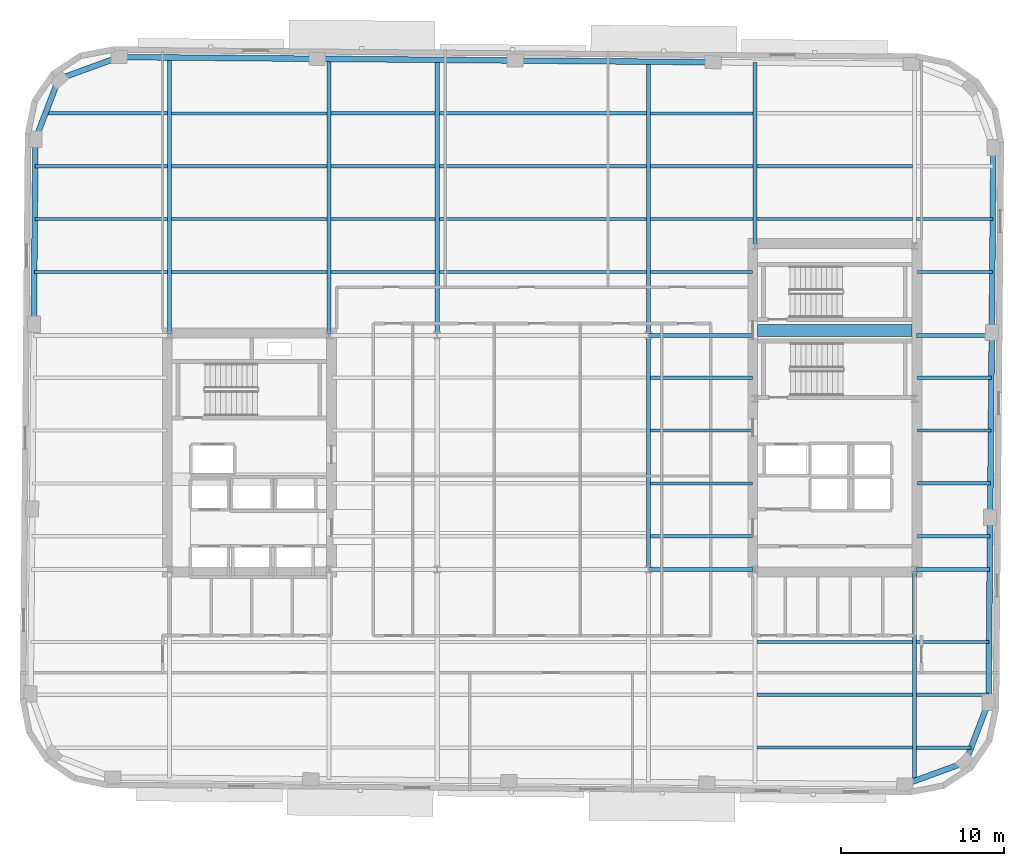
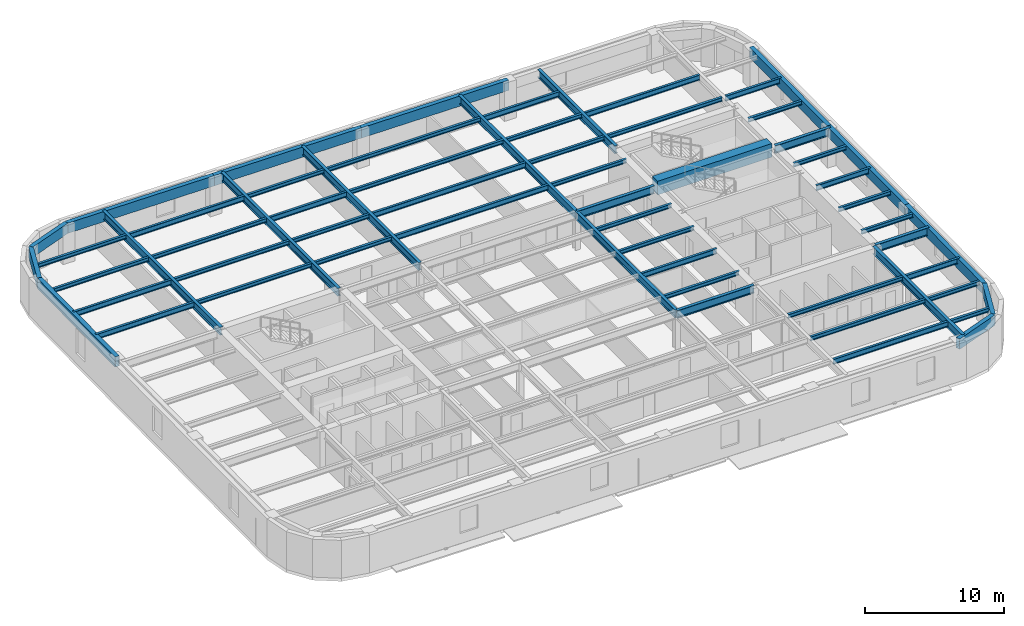
# One storey, part 2 of 11: 61 beams.
"""IFC4 building model written with IfcOpenShell, lengths in metres."""

from ifc_helpers import new_model, si_unit, direction, frame, origin, origin_2d, place, context, subcontext, project, spatial, rectangle, hollow_rectangle, i_section, extrude, material, material_profile, profile_set, type_object, element, save


model = new_model("IFC4")

# Units and contexts
model_context = context("Model", 3, precision=1e-05, world=origin(), true_north=direction((0.0, 1.0)))
body_context = subcontext(model_context, "Body", "Model", "MODEL_VIEW")
ifc_project = project(units=[si_unit("LENGTHUNIT", "METRE"), si_unit("AREAUNIT", "SQUARE_METRE"), si_unit("VOLUMEUNIT", "CUBIC_METRE"), si_unit("PLANEANGLEUNIT", "RADIAN"), si_unit("MASSUNIT", "GRAM", prefix="KILO")], contexts=[model_context])

# Site, building, storey
site_placement = place(None, origin())
site = spatial("IfcSite", under=ifc_project, at=site_placement, CompositionType="ELEMENT")
building_placement = place(site_placement, origin())
building = spatial("IfcBuilding", under=site, at=building_placement, Name="Kolvaren Arena Tower", CompositionType="ELEMENT")
storey_placement = place(building_placement, frame((0.0, 0.0, 207.199951171875)))
storey = spatial("IfcBuildingStorey", under=building, at=storey_placement, Name="L50", CompositionType="ELEMENT", Elevation=207.199951171875)

# Beams
ifc_material_1 = material(Name="Steel CSA G40.21 350W", Category="steel")
ifc_material_profile_1 = material_profile(ifc_material_1, i_section(OverallWidth=0.193115234375, OverallDepth=0.462890625, WebThickness=0.0107421875, FlangeThickness=0.0205078125, FilletRadius=0.012939453125, at=origin_2d()), Name="W460x113")
ifc_profile_set_1 = profile_set([ifc_material_profile_1], Name="Steel CSA G40.21 350W")
beam_type_1 = type_object("IfcBeamType", Name="BEAM-F2", PredefinedType="BEAM", material=ifc_profile_set_1)
beam_1_placement = place(storey_placement, frame((50.677490234375, 8.5, 3.0986328125), z_axis=(1.0, 0.0, 0.0), x_axis=(0.0, 1.0, 0.0)))
element("IfcBeam", 1, at=beam_1_placement, inside=storey, type_object=beam_type_1, Name="Composite Floor Beam (L50)", PredefinedType="BEAM", context=body_context, shape_type="SweptSolid", body=[
    extrude(i_section(OverallWidth=0.193115234375, OverallDepth=0.462890625, WebThickness=0.0107421875, FlangeThickness=0.0205078125, FilletRadius=0.012939453125, at=origin_2d()), origin(), (0.0, 0.0, 1.0), 9.544921875),
])
beam_2_placement = place(storey_placement, frame((60.4775390625, 15.0, 3.0986328125), z_axis=(1.0, 0.0, 0.0), x_axis=(0.0, 1.0, 0.0)))
element("IfcBeam", 2, at=beam_2_placement, inside=storey, type_object=beam_type_1, Name="Composite Floor Beam (L50)", PredefinedType="BEAM", context=body_context, shape_type="SweptSolid", body=[
    extrude(i_section(OverallWidth=0.193115234375, OverallDepth=0.462890625, WebThickness=0.0107421875, FlangeThickness=0.0205078125, FilletRadius=0.012939453125, at=origin_2d()), origin(), (0.0, 0.0, 1.0), 4.454833984375),
])
beam_3_placement = place(storey_placement, frame((44.12744140625, 24.75, 3.0986328125), z_axis=(1.0, 0.0, 0.0), x_axis=(0.0, 1.0, 0.0)))
element("IfcBeam", 3, at=beam_3_placement, inside=storey, type_object=beam_type_1, Name="Composite Floor Beam (L50)", PredefinedType="BEAM", context=body_context, shape_type="SweptSolid", body=[
    extrude(i_section(OverallWidth=0.193115234375, OverallDepth=0.462890625, WebThickness=0.0107421875, FlangeThickness=0.0205078125, FilletRadius=0.012939453125, at=origin_2d()), origin(), (0.0, 0.0, 1.0), 6.25244140625),
])
beam_4_placement = place(storey_placement, frame((60.52001953125, 28.0, 3.0986328125), z_axis=(1.0, 0.0, 0.0), x_axis=(0.0, 1.0, 0.0)))
element("IfcBeam", 4, at=beam_4_placement, inside=storey, type_object=beam_type_1, Name="Composite Floor Beam (L50)", PredefinedType="BEAM", context=body_context, shape_type="SweptSolid", body=[
    extrude(i_section(OverallWidth=0.193115234375, OverallDepth=0.462890625, WebThickness=0.0107421875, FlangeThickness=0.0205078125, FilletRadius=0.012939453125, at=origin_2d()), origin(), (0.0, 0.0, 1.0), 4.52587890625),
])
beam_5_placement = place(storey_placement, frame((6.228759765625, 37.75, 3.0986328125), z_axis=(1.0, 0.0, 0.0), x_axis=(0.0, 1.0, 0.0)))
element("IfcBeam", 5, at=beam_5_placement, inside=storey, type_object=beam_type_1, Name="Composite Floor Beam (L50)", PredefinedType="BEAM", context=body_context, shape_type="SweptSolid", body=[
    extrude(i_section(OverallWidth=0.193115234375, OverallDepth=0.462890625, WebThickness=0.0107421875, FlangeThickness=0.0205078125, FilletRadius=0.012939453125, at=origin_2d()), origin(), (0.0, 0.0, 1.0), 8.19384765625),
])
beam_6_placement = place(storey_placement, frame((31.12744140625, 37.75, 3.0986328125), z_axis=(1.0, 0.0, 0.0), x_axis=(0.0, 1.0, 0.0)))
element("IfcBeam", 6, at=beam_6_placement, inside=storey, type_object=beam_type_1, Name="Composite Floor Beam (L50)", PredefinedType="BEAM", context=body_context, shape_type="SweptSolid", body=[
    extrude(i_section(OverallWidth=0.193115234375, OverallDepth=0.462890625, WebThickness=0.0107421875, FlangeThickness=0.0205078125, FilletRadius=0.012939453125, at=origin_2d()), origin(), (0.0, 0.0, 1.0), 12.7451171875),
])
beam_7_placement = place(storey_placement, frame((6.257080078125, 41.0, 3.0986328125), z_axis=(1.0, 0.0, 0.0), x_axis=(0.0, 1.0, 0.0)))
element("IfcBeam", 7, at=beam_7_placement, inside=storey, type_object=beam_type_1, Name="Composite Floor Beam (L50)", PredefinedType="BEAM", context=body_context, shape_type="SweptSolid", body=[
    extrude(i_section(OverallWidth=0.193115234375, OverallDepth=0.462890625, WebThickness=0.0107421875, FlangeThickness=0.0205078125, FilletRadius=0.012939453125, at=origin_2d()), origin(), (0.0, 0.0, 1.0), 8.16552734375),
])
beam_8_placement = place(storey_placement, frame((31.12744140625, 41.0, 3.0986328125), z_axis=(1.0, 0.0, 0.0), x_axis=(0.0, 1.0, 0.0)))
element("IfcBeam", 8, at=beam_8_placement, inside=storey, type_object=beam_type_1, Name="Composite Floor Beam (L50)", PredefinedType="BEAM", context=body_context, shape_type="SweptSolid", body=[
    extrude(i_section(OverallWidth=0.193115234375, OverallDepth=0.462890625, WebThickness=0.0107421875, FlangeThickness=0.0205078125, FilletRadius=0.012939453125, at=origin_2d()), origin(), (0.0, 0.0, 1.0), 12.7451171875),
])
beam_9_placement = place(storey_placement, frame((60.4775390625, 41.0, 3.0986328125), z_axis=(1.0, 0.0, 0.0), x_axis=(0.0, 1.0, 0.0)))
element("IfcBeam", 9, at=beam_9_placement, inside=storey, type_object=beam_type_1, Name="Composite Floor Beam (L50)", PredefinedType="BEAM", context=body_context, shape_type="SweptSolid", body=[
    extrude(i_section(OverallWidth=0.193115234375, OverallDepth=0.462890625, WebThickness=0.0107421875, FlangeThickness=0.0205078125, FilletRadius=0.012939453125, at=origin_2d()), origin(), (0.0, 0.0, 1.0), 4.681884765625),
])
beam_10_placement = place(storey_placement, frame((24.4775390625, 44.25, 3.0986328125), z_axis=(1.0, 0.0, 0.0), x_axis=(0.0, 1.0, 0.0)))
element("IfcBeam", 10, at=beam_10_placement, inside=storey, type_object=beam_type_1, Name="Composite Floor Beam (L50)", PredefinedType="BEAM", context=body_context, shape_type="SweptSolid", body=[
    extrude(i_section(OverallWidth=0.193115234375, OverallDepth=0.462890625, WebThickness=0.0107421875, FlangeThickness=0.0205078125, FilletRadius=0.012939453125, at=origin_2d()), origin(), (0.0, 0.0, 1.0), 6.39501953125),
])
for number, where, z_axis, x_axis, name in (
    (11, (50.677490234375, 44.25, 3.0986328125), (1.0, 0.0, 0.0), (0.0, 1.0, 0.0), "Composite Floor Beam (L50)"),
    (12, (14.677490234375, 47.5, 3.0986328125), (1.0, 0.0, 0.0), (0.0, 1.0, 0.0), "Composite Floor Beam (L50)"),
):
    element("IfcBeam", number, at=place(storey_placement, frame(where, z_axis=z_axis, x_axis=x_axis)), inside=storey, type_object=beam_type_1, Name=name, PredefinedType="BEAM", context=body_context, shape_type="SweptSolid", body=[
        extrude(i_section(OverallWidth=0.193115234375, OverallDepth=0.462890625, WebThickness=0.0107421875, FlangeThickness=0.0205078125, FilletRadius=0.012939453125, at=origin_2d()), origin(), (0.0, 0.0, 1.0), 9.544921875),
    ])
beam_11_placement = place(storey_placement, frame((44.12744140625, 47.5, 3.0986328125), z_axis=(1.0, 0.0, 0.0), x_axis=(0.0, 1.0, 0.0)))
element("IfcBeam", 13, at=beam_11_placement, inside=storey, type_object=beam_type_1, Name="Composite Floor Beam (L50)", PredefinedType="BEAM", context=body_context, shape_type="SweptSolid", body=[
    extrude(i_section(OverallWidth=0.193115234375, OverallDepth=0.462890625, WebThickness=0.0107421875, FlangeThickness=0.0205078125, FilletRadius=0.012939453125, at=origin_2d()), origin(), (0.0, 0.0, 1.0), 6.295166015625),
])
ifc_material_2 = material(Name="Concrete 60 MPa", Category="concrete")
ifc_material_profile_2 = material_profile(ifc_material_2, rectangle(XDim=0.75, YDim=1.199951171875, at=origin_2d()), Name="RC-750x1200")
ifc_profile_set_2 = profile_set([ifc_material_profile_2], Name="Concrete 60 MPa")
beam_type_2 = type_object("IfcBeamType", Name="CB-CORE-2", PredefinedType="BEAM", material=ifc_profile_set_2)
beam_12_placement = place(storey_placement, frame((50.699951171875, 34.14990234375, 3.0), z_axis=(1.0, 0.0, 0.0), x_axis=(0.0, 1.0, 0.0)))
element("IfcBeam", 14, at=beam_12_placement, inside=storey, type_object=beam_type_2, Name="East Core Coupling Beam (L50)", PredefinedType="BEAM", context=body_context, shape_type="SweptSolid", body=[
    extrude(rectangle(XDim=0.75, YDim=1.199951171875, at=origin_2d()), origin(), (0.0, 0.0, 1.0), 9.5),
])
ifc_material_profile_3 = material_profile(ifc_material_1, i_section(OverallWidth=0.2548828125, OverallDepth=0.695068359375, WebThickness=0.01708984375, FlangeThickness=0.02978515625, FilletRadius=0.01611328125, at=origin_2d()), Name="W690x217")
ifc_profile_set_3 = profile_set([ifc_material_profile_3], Name="Steel CSA G40.21 350W")
beam_type_3 = type_object("IfcBeamType", Name="GIRD-T2", PredefinedType="BEAM", material=ifc_profile_set_3)
beam_13_placement = place(storey_placement, frame((44.0, 19.449951171875, 2.982666015625), z_axis=(1.0, 0.0, 0.0), x_axis=(0.0, 1.0, 0.0)))
element("IfcBeam", 15, at=beam_13_placement, inside=storey, type_object=beam_type_3, Name="Primary Floor Girder (L50)", PredefinedType="BEAM", context=body_context, shape_type="SweptSolid", body=[
    extrude(i_section(OverallWidth=0.2548828125, OverallDepth=0.695068359375, WebThickness=0.01708984375, FlangeThickness=0.02978515625, FilletRadius=0.01611328125, at=origin_2d()), origin(), (0.0, 0.0, 1.0), 6.419921875),
])
beam_14_placement = place(storey_placement, frame((60.47998046875, 19.449951171875, 2.982666015625), z_axis=(1.0, 0.0, 0.0), x_axis=(0.0, 1.0, 0.0)))
element("IfcBeam", 16, at=beam_14_placement, inside=storey, type_object=beam_type_3, Name="Primary Floor Girder (L50)", PredefinedType="BEAM", context=body_context, shape_type="SweptSolid", body=[
    extrude(i_section(OverallWidth=0.2548828125, OverallDepth=0.695068359375, WebThickness=0.01708984375, FlangeThickness=0.02978515625, FilletRadius=0.01611328125, at=origin_2d()), origin(), (0.0, 0.0, 1.0), 4.4912109375),
])
beam_15_placement = place(storey_placement, frame((44.0, 33.85009765625, 2.982666015625), z_axis=(1.0, 0.0, 0.0), x_axis=(0.0, 1.0, 0.0)))
element("IfcBeam", 17, at=beam_15_placement, inside=storey, type_object=beam_type_3, Name="Primary Floor Girder (L50)", PredefinedType="BEAM", context=body_context, shape_type="SweptSolid", body=[
    extrude(i_section(OverallWidth=0.2548828125, OverallDepth=0.695068359375, WebThickness=0.01708984375, FlangeThickness=0.02978515625, FilletRadius=0.01611328125, at=origin_2d()), origin(), (0.0, 0.0, 1.0), 6.419921875),
])
beam_16_placement = place(storey_placement, frame((60.47998046875, 33.85009765625, 2.982666015625), z_axis=(1.0, 0.0, 0.0), x_axis=(0.0, 1.0, 0.0)))
element("IfcBeam", 18, at=beam_16_placement, inside=storey, type_object=beam_type_3, Name="Primary Floor Girder (L50)", PredefinedType="BEAM", context=body_context, shape_type="SweptSolid", body=[
    extrude(i_section(OverallWidth=0.2548828125, OverallDepth=0.695068359375, WebThickness=0.01708984375, FlangeThickness=0.02978515625, FilletRadius=0.01611328125, at=origin_2d()), origin(), (0.0, 0.0, 1.0), 4.616943359375),
])
beam_17_placement = place(storey_placement, frame((14.550048828125, 33.97998046875, 2.982666015625), z_axis=(0.0, 1.0, 0.0), x_axis=(-1.0, 0.0, 0.0)))
element("IfcBeam", 19, at=beam_17_placement, inside=storey, type_object=beam_type_3, Name="Primary Floor Girder (L50)", PredefinedType="BEAM", context=body_context, shape_type="SweptSolid", body=[
    extrude(i_section(OverallWidth=0.2548828125, OverallDepth=0.695068359375, WebThickness=0.01708984375, FlangeThickness=0.02978515625, FilletRadius=0.01611328125, at=origin_2d()), origin(), (0.0, 0.0, 1.0), 16.95458984375),
])
beam_18_placement = place(storey_placement, frame((24.35009765625, 33.97998046875, 2.982666015625), z_axis=(0.0, 1.0, 0.0), x_axis=(-1.0, 0.0, 0.0)))
element("IfcBeam", 20, at=beam_18_placement, inside=storey, type_object=beam_type_3, Name="Primary Floor Girder (L50)", PredefinedType="BEAM", context=body_context, shape_type="SweptSolid", body=[
    extrude(i_section(OverallWidth=0.2548828125, OverallDepth=0.695068359375, WebThickness=0.01708984375, FlangeThickness=0.02978515625, FilletRadius=0.01611328125, at=origin_2d()), origin(), (0.0, 0.0, 1.0), 16.869140625),
])
beam_19_placement = place(storey_placement, frame((31.0, 33.85009765625, 2.982666015625), z_axis=(0.0, 1.0, 0.0), x_axis=(-1.0, 0.0, 0.0)))
element("IfcBeam", 21, at=beam_19_placement, inside=storey, type_object=beam_type_3, Name="Primary Floor Girder (L50)", PredefinedType="BEAM", context=body_context, shape_type="SweptSolid", body=[
    extrude(i_section(OverallWidth=0.2548828125, OverallDepth=0.695068359375, WebThickness=0.01708984375, FlangeThickness=0.02978515625, FilletRadius=0.01611328125, at=origin_2d()), origin(), (0.0, 0.0, 1.0), 16.94091796875),
])
beam_20_placement = place(storey_placement, frame((44.0, 19.449951171875, 2.982666015625), z_axis=(0.0, 1.0, 0.0), x_axis=(-1.0, 0.0, 0.0)))
element("IfcBeam", 22, at=beam_20_placement, inside=storey, type_object=beam_type_3, Name="Primary Floor Girder (L50)", PredefinedType="BEAM", context=body_context, shape_type="SweptSolid", body=[
    extrude(i_section(OverallWidth=0.2548828125, OverallDepth=0.695068359375, WebThickness=0.01708984375, FlangeThickness=0.02978515625, FilletRadius=0.01611328125, at=origin_2d()), origin(), (0.0, 0.0, 1.0), 14.400146484375),
])
beam_21_placement = place(storey_placement, frame((44.0, 33.85009765625, 2.982666015625), z_axis=(0.0, 1.0, 0.0), x_axis=(-1.0, 0.0, 0.0)))
element("IfcBeam", 23, at=beam_21_placement, inside=storey, type_object=beam_type_3, Name="Primary Floor Girder (L50)", PredefinedType="BEAM", context=body_context, shape_type="SweptSolid", body=[
    extrude(i_section(OverallWidth=0.2548828125, OverallDepth=0.695068359375, WebThickness=0.01708984375, FlangeThickness=0.02978515625, FilletRadius=0.01611328125, at=origin_2d()), origin(), (0.0, 0.0, 1.0), 16.827392578125),
])
beam_22_placement = place(storey_placement, frame((50.550048828125, 39.47998046875, 2.982666015625), z_axis=(0.0, 1.0, 0.0), x_axis=(-1.0, 0.0, 0.0)))
element("IfcBeam", 24, at=beam_22_placement, inside=storey, type_object=beam_type_3, Name="Primary Floor Girder (L50)", PredefinedType="BEAM", context=body_context, shape_type="SweptSolid", body=[
    extrude(i_section(OverallWidth=0.2548828125, OverallDepth=0.695068359375, WebThickness=0.01708984375, FlangeThickness=0.02978515625, FilletRadius=0.01611328125, at=origin_2d()), origin(), (0.0, 0.0, 1.0), 11.140380859375),
])
beam_23_placement = place(storey_placement, frame((60.35009765625, 6.455322265625, 2.982666015625), z_axis=(0.0, 1.0, 0.0), x_axis=(-1.0, 0.0, 0.0)))
element("IfcBeam", 25, at=beam_23_placement, inside=storey, type_object=beam_type_3, Name="Primary Floor Girder (L50)", PredefinedType="BEAM", context=body_context, shape_type="SweptSolid", body=[
    extrude(i_section(OverallWidth=0.2548828125, OverallDepth=0.695068359375, WebThickness=0.01708984375, FlangeThickness=0.02978515625, FilletRadius=0.01611328125, at=origin_2d()), origin(), (0.0, 0.0, 1.0), 12.86474609375),
])
ifc_material_profile_4 = material_profile(ifc_material_1, i_section(OverallWidth=0.202880859375, OverallDepth=0.346923828125, WebThickness=0.0078125, FlangeThickness=0.013427734375, FilletRadius=0.010986328125, at=origin_2d()), Name="W360x64")
ifc_profile_set_4 = profile_set([ifc_material_profile_4], Name="Steel CSA G40.21 350W")
beam_type_4 = type_object("IfcBeamType", Name="JOIST-01", PredefinedType="JOIST", material=ifc_profile_set_4)
beam_24_placement = place(storey_placement, frame((60.4775390625, 8.5, 3.156494140625), z_axis=(1.0, 0.0, 0.0), x_axis=(0.0, 1.0, 0.0)))
element("IfcBeam", 26, at=beam_24_placement, inside=storey, type_object=beam_type_4, Name="Composite Floor Joist (L50)", PredefinedType="JOIST", context=body_context, shape_type="SweptSolid", body=[
    extrude(i_section(OverallWidth=0.202880859375, OverallDepth=0.346923828125, WebThickness=0.0078125, FlangeThickness=0.013427734375, FilletRadius=0.010986328125, at=origin_2d()), origin(), (0.0, 0.0, 1.0), 3.3466796875),
])
beam_25_placement = place(storey_placement, frame((50.677490234375, 11.75, 3.156494140625), z_axis=(1.0, 0.0, 0.0), x_axis=(0.0, 1.0, 0.0)))
element("IfcBeam", 27, at=beam_25_placement, inside=storey, type_object=beam_type_4, Name="Composite Floor Joist (L50)", PredefinedType="JOIST", context=body_context, shape_type="SweptSolid", body=[
    extrude(i_section(OverallWidth=0.202880859375, OverallDepth=0.346923828125, WebThickness=0.0078125, FlangeThickness=0.013427734375, FilletRadius=0.010986328125, at=origin_2d()), origin(), (0.0, 0.0, 1.0), 9.544921875),
])
beam_26_placement = place(storey_placement, frame((60.4775390625, 11.75, 3.156494140625), z_axis=(1.0, 0.0, 0.0), x_axis=(0.0, 1.0, 0.0)))
element("IfcBeam", 28, at=beam_26_placement, inside=storey, type_object=beam_type_4, Name="Composite Floor Joist (L50)", PredefinedType="JOIST", context=body_context, shape_type="SweptSolid", body=[
    extrude(i_section(OverallWidth=0.202880859375, OverallDepth=0.346923828125, WebThickness=0.0078125, FlangeThickness=0.013427734375, FilletRadius=0.010986328125, at=origin_2d()), origin(), (0.0, 0.0, 1.0), 4.426513671875),
])
beam_27_placement = place(storey_placement, frame((50.677490234375, 15.0, 3.156494140625), z_axis=(1.0, 0.0, 0.0), x_axis=(0.0, 1.0, 0.0)))
element("IfcBeam", 29, at=beam_27_placement, inside=storey, type_object=beam_type_4, Name="Composite Floor Joist (L50)", PredefinedType="JOIST", context=body_context, shape_type="SweptSolid", body=[
    extrude(i_section(OverallWidth=0.202880859375, OverallDepth=0.346923828125, WebThickness=0.0078125, FlangeThickness=0.013427734375, FilletRadius=0.010986328125, at=origin_2d()), origin(), (0.0, 0.0, 1.0), 9.544921875),
])
beam_28_placement = place(storey_placement, frame((44.12744140625, 21.5, 3.156494140625), z_axis=(1.0, 0.0, 0.0), x_axis=(0.0, 1.0, 0.0)))
element("IfcBeam", 30, at=beam_28_placement, inside=storey, type_object=beam_type_4, Name="Composite Floor Joist (L50)", PredefinedType="JOIST", context=body_context, shape_type="SweptSolid", body=[
    extrude(i_section(OverallWidth=0.202880859375, OverallDepth=0.346923828125, WebThickness=0.0078125, FlangeThickness=0.013427734375, FilletRadius=0.010986328125, at=origin_2d()), origin(), (0.0, 0.0, 1.0), 6.25244140625),
])
beam_29_placement = place(storey_placement, frame((60.52001953125, 21.5, 3.156494140625), z_axis=(1.0, 0.0, 0.0), x_axis=(0.0, 1.0, 0.0)))
element("IfcBeam", 31, at=beam_29_placement, inside=storey, type_object=beam_type_4, Name="Composite Floor Joist (L50)", PredefinedType="JOIST", context=body_context, shape_type="SweptSolid", body=[
    extrude(i_section(OverallWidth=0.202880859375, OverallDepth=0.346923828125, WebThickness=0.0078125, FlangeThickness=0.013427734375, FilletRadius=0.010986328125, at=origin_2d()), origin(), (0.0, 0.0, 1.0), 4.46923828125),
])
beam_30_placement = place(storey_placement, frame((60.52001953125, 24.75, 3.156494140625), z_axis=(1.0, 0.0, 0.0), x_axis=(0.0, 1.0, 0.0)))
element("IfcBeam", 32, at=beam_30_placement, inside=storey, type_object=beam_type_4, Name="Composite Floor Joist (L50)", PredefinedType="JOIST", context=body_context, shape_type="SweptSolid", body=[
    extrude(i_section(OverallWidth=0.202880859375, OverallDepth=0.346923828125, WebThickness=0.0078125, FlangeThickness=0.013427734375, FilletRadius=0.010986328125, at=origin_2d()), origin(), (0.0, 0.0, 1.0), 4.49755859375),
])
for number, where, z_axis, x_axis, name in (
    (33, (44.12744140625, 28.0, 3.156494140625), (1.0, 0.0, 0.0), (0.0, 1.0, 0.0), "Composite Floor Joist (L50)"),
    (34, (44.12744140625, 31.25, 3.156494140625), (1.0, 0.0, 0.0), (0.0, 1.0, 0.0), "Composite Floor Joist (L50)"),
):
    element("IfcBeam", number, at=place(storey_placement, frame(where, z_axis=z_axis, x_axis=x_axis)), inside=storey, type_object=beam_type_4, Name=name, PredefinedType="JOIST", context=body_context, shape_type="SweptSolid", body=[
        extrude(i_section(OverallWidth=0.202880859375, OverallDepth=0.346923828125, WebThickness=0.0078125, FlangeThickness=0.013427734375, FilletRadius=0.010986328125, at=origin_2d()), origin(), (0.0, 0.0, 1.0), 6.25244140625),
    ])
beam_31_placement = place(storey_placement, frame((60.52001953125, 31.25, 3.156494140625), z_axis=(1.0, 0.0, 0.0), x_axis=(0.0, 1.0, 0.0)))
element("IfcBeam", 35, at=beam_31_placement, inside=storey, type_object=beam_type_4, Name="Composite Floor Joist (L50)", PredefinedType="JOIST", context=body_context, shape_type="SweptSolid", body=[
    extrude(i_section(OverallWidth=0.202880859375, OverallDepth=0.346923828125, WebThickness=0.0078125, FlangeThickness=0.013427734375, FilletRadius=0.010986328125, at=origin_2d()), origin(), (0.0, 0.0, 1.0), 4.55419921875),
])
beam_32_placement = place(storey_placement, frame((14.677490234375, 37.75, 3.156494140625), z_axis=(1.0, 0.0, 0.0), x_axis=(0.0, 1.0, 0.0)))
element("IfcBeam", 36, at=beam_32_placement, inside=storey, type_object=beam_type_4, Name="Composite Floor Joist (L50)", PredefinedType="JOIST", context=body_context, shape_type="SweptSolid", body=[
    extrude(i_section(OverallWidth=0.202880859375, OverallDepth=0.346923828125, WebThickness=0.0078125, FlangeThickness=0.013427734375, FilletRadius=0.010986328125, at=origin_2d()), origin(), (0.0, 0.0, 1.0), 9.544921875),
])
beam_33_placement = place(storey_placement, frame((24.4775390625, 37.75, 3.156494140625), z_axis=(1.0, 0.0, 0.0), x_axis=(0.0, 1.0, 0.0)))
element("IfcBeam", 37, at=beam_33_placement, inside=storey, type_object=beam_type_4, Name="Composite Floor Joist (L50)", PredefinedType="JOIST", context=body_context, shape_type="SweptSolid", body=[
    extrude(i_section(OverallWidth=0.202880859375, OverallDepth=0.346923828125, WebThickness=0.0078125, FlangeThickness=0.013427734375, FilletRadius=0.010986328125, at=origin_2d()), origin(), (0.0, 0.0, 1.0), 6.39501953125),
])
beam_34_placement = place(storey_placement, frame((44.12744140625, 37.75, 3.156494140625), z_axis=(1.0, 0.0, 0.0), x_axis=(0.0, 1.0, 0.0)))
element("IfcBeam", 38, at=beam_34_placement, inside=storey, type_object=beam_type_4, Name="Composite Floor Joist (L50)", PredefinedType="JOIST", context=body_context, shape_type="SweptSolid", body=[
    extrude(i_section(OverallWidth=0.202880859375, OverallDepth=0.346923828125, WebThickness=0.0078125, FlangeThickness=0.013427734375, FilletRadius=0.010986328125, at=origin_2d()), origin(), (0.0, 0.0, 1.0), 6.25244140625),
])
beam_35_placement = place(storey_placement, frame((60.52001953125, 37.75, 3.156494140625), z_axis=(1.0, 0.0, 0.0), x_axis=(0.0, 1.0, 0.0)))
element("IfcBeam", 39, at=beam_35_placement, inside=storey, type_object=beam_type_4, Name="Composite Floor Joist (L50)", PredefinedType="JOIST", context=body_context, shape_type="SweptSolid", body=[
    extrude(i_section(OverallWidth=0.202880859375, OverallDepth=0.346923828125, WebThickness=0.0078125, FlangeThickness=0.013427734375, FilletRadius=0.010986328125, at=origin_2d()), origin(), (0.0, 0.0, 1.0), 4.611083984375),
])
beam_36_placement = place(storey_placement, frame((14.677490234375, 41.0, 3.156494140625), z_axis=(1.0, 0.0, 0.0), x_axis=(0.0, 1.0, 0.0)))
element("IfcBeam", 40, at=beam_36_placement, inside=storey, type_object=beam_type_4, Name="Composite Floor Joist (L50)", PredefinedType="JOIST", context=body_context, shape_type="SweptSolid", body=[
    extrude(i_section(OverallWidth=0.202880859375, OverallDepth=0.346923828125, WebThickness=0.0078125, FlangeThickness=0.013427734375, FilletRadius=0.010986328125, at=origin_2d()), origin(), (0.0, 0.0, 1.0), 9.544921875),
])
beam_37_placement = place(storey_placement, frame((24.4775390625, 41.0, 3.156494140625), z_axis=(1.0, 0.0, 0.0), x_axis=(0.0, 1.0, 0.0)))
element("IfcBeam", 41, at=beam_37_placement, inside=storey, type_object=beam_type_4, Name="Composite Floor Joist (L50)", PredefinedType="JOIST", context=body_context, shape_type="SweptSolid", body=[
    extrude(i_section(OverallWidth=0.202880859375, OverallDepth=0.346923828125, WebThickness=0.0078125, FlangeThickness=0.013427734375, FilletRadius=0.010986328125, at=origin_2d()), origin(), (0.0, 0.0, 1.0), 6.39501953125),
])
beam_38_placement = place(storey_placement, frame((44.12744140625, 41.0, 3.156494140625), z_axis=(1.0, 0.0, 0.0), x_axis=(0.0, 1.0, 0.0)))
element("IfcBeam", 42, at=beam_38_placement, inside=storey, type_object=beam_type_4, Name="Composite Floor Joist (L50)", PredefinedType="JOIST", context=body_context, shape_type="SweptSolid", body=[
    extrude(i_section(OverallWidth=0.202880859375, OverallDepth=0.346923828125, WebThickness=0.0078125, FlangeThickness=0.013427734375, FilletRadius=0.010986328125, at=origin_2d()), origin(), (0.0, 0.0, 1.0), 6.295166015625),
])
beam_39_placement = place(storey_placement, frame((50.677490234375, 41.0, 3.156494140625), z_axis=(1.0, 0.0, 0.0), x_axis=(0.0, 1.0, 0.0)))
element("IfcBeam", 43, at=beam_39_placement, inside=storey, type_object=beam_type_4, Name="Composite Floor Joist (L50)", PredefinedType="JOIST", context=body_context, shape_type="SweptSolid", body=[
    extrude(i_section(OverallWidth=0.202880859375, OverallDepth=0.346923828125, WebThickness=0.0078125, FlangeThickness=0.013427734375, FilletRadius=0.010986328125, at=origin_2d()), origin(), (0.0, 0.0, 1.0), 9.544921875),
])
beam_40_placement = place(storey_placement, frame((6.285400390625, 44.25, 3.156494140625), z_axis=(1.0, 0.0, 0.0), x_axis=(0.0, 1.0, 0.0)))
element("IfcBeam", 44, at=beam_40_placement, inside=storey, type_object=beam_type_4, Name="Composite Floor Joist (L50)", PredefinedType="JOIST", context=body_context, shape_type="SweptSolid", body=[
    extrude(i_section(OverallWidth=0.202880859375, OverallDepth=0.346923828125, WebThickness=0.0078125, FlangeThickness=0.013427734375, FilletRadius=0.010986328125, at=origin_2d()), origin(), (0.0, 0.0, 1.0), 8.13720703125),
])
beam_41_placement = place(storey_placement, frame((14.677490234375, 44.25, 3.156494140625), z_axis=(1.0, 0.0, 0.0), x_axis=(0.0, 1.0, 0.0)))
element("IfcBeam", 45, at=beam_41_placement, inside=storey, type_object=beam_type_4, Name="Composite Floor Joist (L50)", PredefinedType="JOIST", context=body_context, shape_type="SweptSolid", body=[
    extrude(i_section(OverallWidth=0.202880859375, OverallDepth=0.346923828125, WebThickness=0.0078125, FlangeThickness=0.013427734375, FilletRadius=0.010986328125, at=origin_2d()), origin(), (0.0, 0.0, 1.0), 9.544921875),
])
beam_42_placement = place(storey_placement, frame((31.12744140625, 44.25, 3.156494140625), z_axis=(1.0, 0.0, 0.0), x_axis=(0.0, 1.0, 0.0)))
element("IfcBeam", 46, at=beam_42_placement, inside=storey, type_object=beam_type_4, Name="Composite Floor Joist (L50)", PredefinedType="JOIST", context=body_context, shape_type="SweptSolid", body=[
    extrude(i_section(OverallWidth=0.202880859375, OverallDepth=0.346923828125, WebThickness=0.0078125, FlangeThickness=0.013427734375, FilletRadius=0.010986328125, at=origin_2d()), origin(), (0.0, 0.0, 1.0), 12.7451171875),
])
beam_43_placement = place(storey_placement, frame((44.12744140625, 44.25, 3.156494140625), z_axis=(1.0, 0.0, 0.0), x_axis=(0.0, 1.0, 0.0)))
element("IfcBeam", 47, at=beam_43_placement, inside=storey, type_object=beam_type_4, Name="Composite Floor Joist (L50)", PredefinedType="JOIST", context=body_context, shape_type="SweptSolid", body=[
    extrude(i_section(OverallWidth=0.202880859375, OverallDepth=0.346923828125, WebThickness=0.0078125, FlangeThickness=0.013427734375, FilletRadius=0.010986328125, at=origin_2d()), origin(), (0.0, 0.0, 1.0), 6.295166015625),
])
beam_44_placement = place(storey_placement, frame((6.913818359375, 47.5, 3.156494140625), z_axis=(1.0, 0.0, 0.0), x_axis=(0.0, 1.0, 0.0)))
element("IfcBeam", 48, at=beam_44_placement, inside=storey, type_object=beam_type_4, Name="Composite Floor Joist (L50)", PredefinedType="JOIST", context=body_context, shape_type="SweptSolid", body=[
    extrude(i_section(OverallWidth=0.202880859375, OverallDepth=0.346923828125, WebThickness=0.0078125, FlangeThickness=0.013427734375, FilletRadius=0.010986328125, at=origin_2d()), origin(), (0.0, 0.0, 1.0), 7.5087890625),
])
beam_45_placement = place(storey_placement, frame((24.4775390625, 47.5, 3.156494140625), z_axis=(1.0, 0.0, 0.0), x_axis=(0.0, 1.0, 0.0)))
element("IfcBeam", 49, at=beam_45_placement, inside=storey, type_object=beam_type_4, Name="Composite Floor Joist (L50)", PredefinedType="JOIST", context=body_context, shape_type="SweptSolid", body=[
    extrude(i_section(OverallWidth=0.202880859375, OverallDepth=0.346923828125, WebThickness=0.0078125, FlangeThickness=0.013427734375, FilletRadius=0.010986328125, at=origin_2d()), origin(), (0.0, 0.0, 1.0), 6.39501953125),
])
beam_46_placement = place(storey_placement, frame((31.12744140625, 47.5, 3.156494140625), z_axis=(1.0, 0.0, 0.0), x_axis=(0.0, 1.0, 0.0)))
element("IfcBeam", 50, at=beam_46_placement, inside=storey, type_object=beam_type_4, Name="Composite Floor Joist (L50)", PredefinedType="JOIST", context=body_context, shape_type="SweptSolid", body=[
    extrude(i_section(OverallWidth=0.202880859375, OverallDepth=0.346923828125, WebThickness=0.0078125, FlangeThickness=0.013427734375, FilletRadius=0.010986328125, at=origin_2d()), origin(), (0.0, 0.0, 1.0), 12.7451171875),
])
ifc_material_3 = material(Name="Steel CSA G40.21 350WT", Category="steel")
ifc_material_profile_5 = material_profile(ifc_material_3, hollow_rectangle(XDim=0.35009765625, YDim=0.89990234375, WallThickness=0.02001953125, at=origin_2d()), Name="HSS 900x350x20")
ifc_profile_set_5 = profile_set([ifc_material_profile_5], Name="Steel CSA G40.21 350WT")
beam_type_5 = type_object("IfcBeamType", Name="SPAND-01", PredefinedType="SPANDREL", material=ifc_profile_set_5)
for number, where, z_axis, x_axis, name in (
    (51, (59.755859375, 6.23828125, 2.880126953125), (0.939313819882, 0.343059102458, 0.0), (-0.343059102458, 0.939313819882, 0.0), "Perimeter Spandrel Beam (L50)"),
    (52, (63.4765625, 7.59716796875, 2.880126953125), (0.359383792094, 0.933189846698, 0.0), (-0.933189846698, 0.359383792094, 0.0), "Perimeter Spandrel Beam (L50)"),
):
    element("IfcBeam", number, at=place(storey_placement, frame(where, z_axis=z_axis, x_axis=x_axis)), inside=storey, type_object=beam_type_5, Name=name, PredefinedType="SPANDREL", context=body_context, shape_type="SweptSolid", body=[
        extrude(hollow_rectangle(XDim=0.35009765625, YDim=0.89990234375, WallThickness=0.02001953125, at=origin_2d()), origin(), (0.0, 0.0, 1.0), 3.961181640625),
    ])
for number, where, z_axis, x_axis, name in (
    (53, (64.900146484375, 11.293701171875, 2.880126953125), (0.008720348885, 0.999961977035, 0.0), (-0.999961977035, 0.008720348885, 0.0), "Perimeter Spandrel Beam (L50)"),
    (54, (64.999267578125, 22.659912109375, 2.880126953125), (0.008720348885, 0.999961977035, 0.0), (-0.999961977035, 0.008720348885, 0.0), "Perimeter Spandrel Beam (L50)"),
    (55, (65.098388671875, 34.026123046875, 2.880126953125), (0.008741825937, 0.99996178951, 0.0), (-0.99996178951, 0.008741825937, 0.0), "Perimeter Spandrel Beam (L50)"),
):
    element("IfcBeam", number, at=place(storey_placement, frame(where, z_axis=z_axis, x_axis=x_axis)), inside=storey, type_object=beam_type_5, Name=name, PredefinedType="SPANDREL", context=body_context, shape_type="SweptSolid", body=[
        extrude(hollow_rectangle(XDim=0.35009765625, YDim=0.89990234375, WallThickness=0.02001953125, at=origin_2d()), origin(), (0.0, 0.0, 1.0), 11.36669921875),
    ])
beam_47_placement = place(storey_placement, frame((47.9677734375, 50.642822265625, 2.880126953125), z_axis=(-0.999961779919, 0.008742922896, 0.0), x_axis=(-0.008742922896, -0.999961779919, 0.0)))
element("IfcBeam", 56, at=beam_47_placement, inside=storey, type_object=beam_type_5, Name="Perimeter Spandrel Beam (L50)", PredefinedType="SPANDREL", context=body_context, shape_type="SweptSolid", body=[
    extrude(hollow_rectangle(XDim=0.35009765625, YDim=0.89990234375, WallThickness=0.02001953125, at=origin_2d()), origin(), (0.0, 0.0, 1.0), 12.175048828125),
])
beam_48_placement = place(storey_placement, frame((35.793212890625, 50.749267578125, 2.880126953125), z_axis=(-0.999961953504, 0.008723046761, 0.0), x_axis=(-0.008723046761, -0.999961953504, 0.0)))
element("IfcBeam", 57, at=beam_48_placement, inside=storey, type_object=beam_type_5, Name="Perimeter Spandrel Beam (L50)", PredefinedType="SPANDREL", context=body_context, shape_type="SweptSolid", body=[
    extrude(hollow_rectangle(XDim=0.35009765625, YDim=0.89990234375, WallThickness=0.02001953125, at=origin_2d()), origin(), (0.0, 0.0, 1.0), 12.1748046875),
])
beam_49_placement = place(storey_placement, frame((23.618896484375, 50.85546875, 2.880126953125), z_axis=(-0.999961956555, 0.008722696942, 0.0), x_axis=(-0.008722696942, -0.999961956555, 0.0)))
element("IfcBeam", 58, at=beam_49_placement, inside=storey, type_object=beam_type_5, Name="Perimeter Spandrel Beam (L50)", PredefinedType="SPANDREL", context=body_context, shape_type="SweptSolid", body=[
    extrude(hollow_rectangle(XDim=0.35009765625, YDim=0.89990234375, WallThickness=0.02001953125, at=origin_2d()), origin(), (0.0, 0.0, 1.0), 12.17529296875),
])
for number, where, z_axis, x_axis, name in (
    (59, (11.444091796875, 50.961669921875, 2.880126953125), (-0.939313819882, -0.343059102458, 0.0), (0.343059102458, -0.939313819882, 0.0), "Perimeter Spandrel Beam (L50)"),
    (60, (7.723388671875, 49.602783203125, 2.880126953125), (-0.359383792094, -0.933189846698, 0.0), (0.933189846698, -0.359383792094, 0.0), "Perimeter Spandrel Beam (L50)"),
):
    element("IfcBeam", number, at=place(storey_placement, frame(where, z_axis=z_axis, x_axis=x_axis)), inside=storey, type_object=beam_type_5, Name=name, PredefinedType="SPANDREL", context=body_context, shape_type="SweptSolid", body=[
        extrude(hollow_rectangle(XDim=0.35009765625, YDim=0.89990234375, WallThickness=0.02001953125, at=origin_2d()), origin(), (0.0, 0.0, 1.0), 3.961181640625),
    ])
beam_50_placement = place(storey_placement, frame((6.2998046875, 45.90625, 2.880126953125), z_axis=(-0.008720348885, -0.999961977035, 0.0), x_axis=(0.999961977035, -0.008720348885, 0.0)))
element("IfcBeam", 61, at=beam_50_placement, inside=storey, type_object=beam_type_5, Name="Perimeter Spandrel Beam (L50)", PredefinedType="SPANDREL", context=body_context, shape_type="SweptSolid", body=[
    extrude(hollow_rectangle(XDim=0.35009765625, YDim=0.89990234375, WallThickness=0.02001953125, at=origin_2d()), origin(), (0.0, 0.0, 1.0), 11.36669921875),
])

save(model, "model.ifc")
